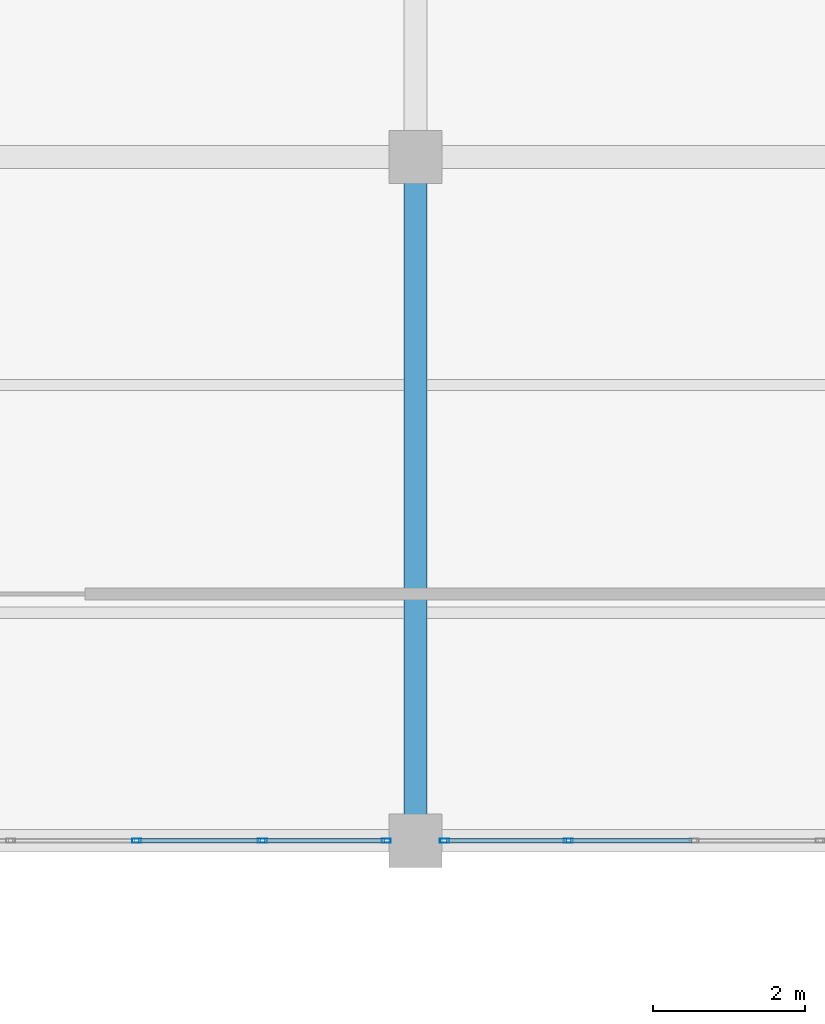
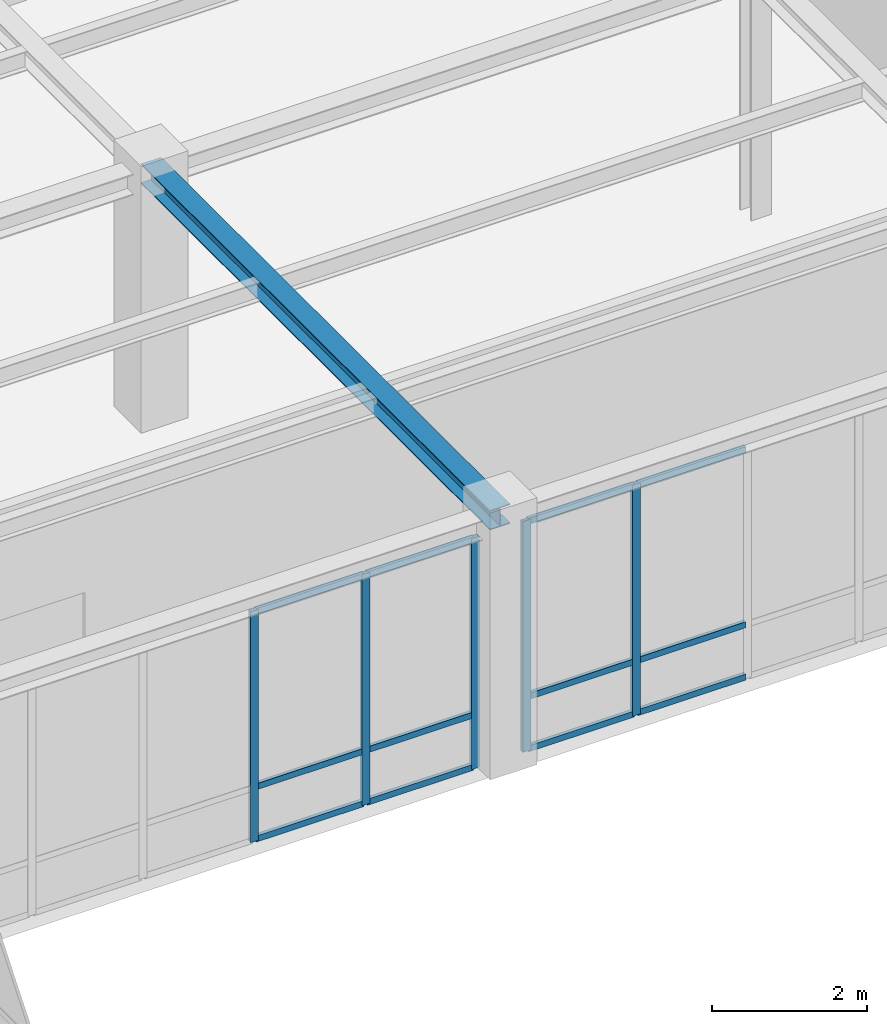
# One storey, part 68 of 108: 17 members, 1 beam, 2 elements without a shape of their own.
"""IFC4 building model written with IfcOpenShell, lengths in metres."""

from ifc_helpers import new_model, si_unit, direction, frame, origin, origin_2d, place, context, subcontext, project, spatial, hollow_rectangle, i_section, extrude, material, material_profile, profile_set, type_object, element, aggregate, save


model = new_model("IFC4")

# Units and contexts
model_context = context("Model", 3, precision=1e-05, world=origin(), true_north=direction((0.0, 1.0)))
body_context = subcontext(model_context, "Body", "Model", "MODEL_VIEW")
ifc_project = project(units=[si_unit("LENGTHUNIT", "METRE"), si_unit("AREAUNIT", "SQUARE_METRE"), si_unit("VOLUMEUNIT", "CUBIC_METRE"), si_unit("PLANEANGLEUNIT", "RADIAN"), si_unit("MASSUNIT", "GRAM", prefix="KILO")], contexts=[model_context])

# Site, building, storey
site_placement = place(None, origin())
site = spatial("IfcSite", under=ifc_project, at=site_placement, CompositionType="ELEMENT")
building_placement = place(site_placement, origin())
building = spatial("IfcBuilding", under=site, at=building_placement, Name="Lykobir Media Centre", CompositionType="ELEMENT")
storey_placement = place(building_placement, frame((0.0, 0.0, 15.0)))
storey = spatial("IfcBuildingStorey", under=building, at=storey_placement, Name="L03", CompositionType="ELEMENT", Elevation=15.0)

# Beam
ifc_material_1 = material(Name="Steel S355", Category="steel")
ifc_material_profile_1 = material_profile(ifc_material_1, i_section(OverallWidth=0.300048828125, OverallDepth=0.31005859375, WebThickness=0.009033203125, FlangeThickness=0.015380859375, at=origin_2d()), Name="HEA 320")
ifc_profile_set_1 = profile_set([ifc_material_profile_1], Name="Steel S355")
beam_type = type_object("IfcBeamType", Name="BM-HEA320", PredefinedType="BEAM", material=ifc_profile_set_1)
beam_placement = place(storey_placement, frame((108.0, 72.0, 3.804931640625), z_axis=(0.0, 1.0, 0.0), x_axis=(-1.0, 0.0, 0.0)))
element("IfcBeam", 1, at=beam_placement, inside=storey, type_object=beam_type, Name="Beam BM-L03-1080-0720-1080-0810-1880", PredefinedType="BEAM", context=body_context, shape_type="SweptSolid", body=[
    extrude(i_section(OverallWidth=0.300048828125, OverallDepth=0.31005859375, WebThickness=0.009033203125, FlangeThickness=0.015380859375, at=origin_2d()), origin(), (0.0, 0.0, 1.0), 9.0),
])

# Curtain wall, members
ifc_material_2 = material(Name="Anodized Aluminium AW-6060", Category="aluminium")
curtain_wall_type = type_object("IfcCurtainWallType", Name="CW-COURT-B", PredefinedType="NOTDEFINED", material=ifc_material_2)
curtain_wall_1_placement = place(storey_placement, origin())
curtain_wall_1 = element("IfcCurtainWall", 2, at=curtain_wall_1_placement, inside=storey, type_object=curtain_wall_type, Name="Curtain wall CW2-L03-0146", PredefinedType="NOTDEFINED")
ifc_material_profile_2 = material_profile(ifc_material_2, hollow_rectangle(XDim=0.054931640625, YDim=0.1201171875, WallThickness=0.003173828125, at=origin_2d()), Name="ALU MULLION 55x120")
ifc_profile_set_2 = profile_set([ifc_material_profile_2], Name="Anodized Aluminium AW-6060")
member_type_1 = type_object("IfcMemberType", Name="CWM-120", PredefinedType="MULLION", material=ifc_profile_set_2)
member_1_placement = place(storey_placement, frame((107.617431640625, 72.0, 0.0), z_axis=(0.0, 0.0, 1.0), x_axis=(0.0, -1.0, 0.0)))
member_1 = element("IfcMember", 3, at=member_1_placement, type_object=member_type_1, Name="CW2-L03-0146 mullion 1", PredefinedType="MULLION", context=body_context, shape_type="SweptSolid", body=[
    extrude(hollow_rectangle(XDim=0.054931640625, YDim=0.1201171875, WallThickness=0.003173828125, at=origin_2d()), origin(), (0.0, 0.0, 1.0), 3.635009765625),
])
member_2_placement = place(storey_placement, frame((105.987060546875, 72.0, 0.0), z_axis=(0.0, 0.0, 1.0), x_axis=(0.0, -1.0, 0.0)))
member_2 = element("IfcMember", 4, at=member_2_placement, type_object=member_type_1, Name="CW2-L03-0146 mullion 2", PredefinedType="MULLION", context=body_context, shape_type="SweptSolid", body=[
    extrude(hollow_rectangle(XDim=0.054931640625, YDim=0.1201171875, WallThickness=0.003173828125, at=origin_2d()), origin(), (0.0, 0.0, 1.0), 3.635009765625),
])
member_3_placement = place(storey_placement, frame((104.3291015625, 72.0, 0.0), z_axis=(0.0, 0.0, 1.0), x_axis=(0.0, -1.0, 0.0)))
member_3 = element("IfcMember", 5, at=member_3_placement, type_object=member_type_1, Name="CW2-L03-0146 mullion 3", PredefinedType="MULLION", context=body_context, shape_type="SweptSolid", body=[
    extrude(hollow_rectangle(XDim=0.054931640625, YDim=0.1201171875, WallThickness=0.003173828125, at=origin_2d()), origin(), (0.0, 0.0, 1.0), 3.635009765625),
])

curtain_wall_2_placement = place(storey_placement, origin())
curtain_wall_2 = element("IfcCurtainWall", 6, at=curtain_wall_2_placement, inside=storey, type_object=curtain_wall_type, Name="Curtain wall CW2-L03-0147", PredefinedType="NOTDEFINED")
member_4_placement = place(storey_placement, frame((110.012939453125, 72.0, 0.0), z_axis=(0.0, 0.0, 1.0), x_axis=(0.0, -1.0, 0.0)))
member_4 = element("IfcMember", 7, at=member_4_placement, type_object=member_type_1, Name="CW2-L03-0147 mullion 5", PredefinedType="MULLION", context=body_context, shape_type="SweptSolid", body=[
    extrude(hollow_rectangle(XDim=0.054931640625, YDim=0.1201171875, WallThickness=0.003173828125, at=origin_2d()), origin(), (0.0, 0.0, 1.0), 3.635009765625),
])
member_5_placement = place(storey_placement, frame((108.382568359375, 72.0, 0.0), z_axis=(0.0, 0.0, 1.0), x_axis=(0.0, -1.0, 0.0)))
member_5 = element("IfcMember", 8, at=member_5_placement, type_object=member_type_1, Name="CW2-L03-0147 mullion 6", PredefinedType="MULLION", context=body_context, shape_type="SweptSolid", body=[
    extrude(hollow_rectangle(XDim=0.054931640625, YDim=0.1201171875, WallThickness=0.003173828125, at=origin_2d()), origin(), (0.0, 0.0, 1.0), 3.635009765625),
])

# Member
ifc_material_profile_3 = material_profile(ifc_material_2, hollow_rectangle(XDim=0.054931640625, YDim=0.094970703125, WallThickness=0.0029296875, at=origin_2d()), Name="ALU TRANSOM 55x95")
ifc_profile_set_3 = profile_set([ifc_material_profile_3], Name="Anodized Aluminium AW-6060")
member_type_2 = type_object("IfcMemberType", Name="CWT-095", PredefinedType="USERDEFINED", material=ifc_profile_set_3)
member_6_placement = place(storey_placement, frame((107.590087890625, 72.0, 0.027587890625), z_axis=(-1.0, 0.0, 0.0), x_axis=(0.0, -1.0, 0.0)))
member_6 = element("IfcMember", 9, at=member_6_placement, type_object=member_type_2, Name="CW2-L03-0146 transom 1.1", ObjectType="TRANSOM", PredefinedType="USERDEFINED", context=body_context, shape_type="SweptSolid", body=[
    extrude(hollow_rectangle(XDim=0.054931640625, YDim=0.094970703125, WallThickness=0.0029296875, at=origin_2d()), origin(), (0.0, 0.0, 1.0), 1.57568359375),
])

member_7_placement = place(storey_placement, frame((107.590087890625, 72.0, 0.85009765625), z_axis=(-1.0, 0.0, 0.0), x_axis=(0.0, -1.0, 0.0)))
member_7 = element("IfcMember", 10, at=member_7_placement, type_object=member_type_2, Name="CW2-L03-0146 transom 1.2", ObjectType="TRANSOM", PredefinedType="USERDEFINED", context=body_context, shape_type="SweptSolid", body=[
    extrude(hollow_rectangle(XDim=0.054931640625, YDim=0.094970703125, WallThickness=0.0029296875, at=origin_2d()), origin(), (0.0, 0.0, 1.0), 1.57568359375),
])

member_8_placement = place(storey_placement, frame((107.590087890625, 72.0, 3.607421875), z_axis=(-1.0, 0.0, 0.0), x_axis=(0.0, -1.0, 0.0)))
member_8 = element("IfcMember", 11, at=member_8_placement, type_object=member_type_2, Name="CW2-L03-0146 transom 1.3", ObjectType="TRANSOM", PredefinedType="USERDEFINED", context=body_context, shape_type="SweptSolid", body=[
    extrude(hollow_rectangle(XDim=0.054931640625, YDim=0.094970703125, WallThickness=0.0029296875, at=origin_2d()), origin(), (0.0, 0.0, 1.0), 1.57568359375),
])

member_9_placement = place(storey_placement, frame((105.95947265625, 72.0, 0.027587890625), z_axis=(-1.0, 0.0, 0.0), x_axis=(0.0, -1.0, 0.0)))
member_9 = element("IfcMember", 12, at=member_9_placement, type_object=member_type_2, Name="CW2-L03-0146 transom 2.1", ObjectType="TRANSOM", PredefinedType="USERDEFINED", context=body_context, shape_type="SweptSolid", body=[
    extrude(hollow_rectangle(XDim=0.054931640625, YDim=0.094970703125, WallThickness=0.0029296875, at=origin_2d()), origin(), (0.0, 0.0, 1.0), 1.60302734375),
])

member_10_placement = place(storey_placement, frame((105.95947265625, 72.0, 0.85009765625), z_axis=(-1.0, 0.0, 0.0), x_axis=(0.0, -1.0, 0.0)))
member_10 = element("IfcMember", 13, at=member_10_placement, type_object=member_type_2, Name="CW2-L03-0146 transom 2.2", ObjectType="TRANSOM", PredefinedType="USERDEFINED", context=body_context, shape_type="SweptSolid", body=[
    extrude(hollow_rectangle(XDim=0.054931640625, YDim=0.094970703125, WallThickness=0.0029296875, at=origin_2d()), origin(), (0.0, 0.0, 1.0), 1.60302734375),
])

member_11_placement = place(storey_placement, frame((105.95947265625, 72.0, 3.607421875), z_axis=(-1.0, 0.0, 0.0), x_axis=(0.0, -1.0, 0.0)))
member_11 = element("IfcMember", 14, at=member_11_placement, type_object=member_type_2, Name="CW2-L03-0146 transom 2.3", ObjectType="TRANSOM", PredefinedType="USERDEFINED", context=body_context, shape_type="SweptSolid", body=[
    extrude(hollow_rectangle(XDim=0.054931640625, YDim=0.094970703125, WallThickness=0.0029296875, at=origin_2d()), origin(), (0.0, 0.0, 1.0), 1.60302734375),
])

aggregate(curtain_wall_1, [member_1, member_2, member_3, member_6, member_7, member_8, member_9, member_10, member_11])

member_12_placement = place(storey_placement, frame((111.6435546875, 72.0, 0.027587890625), z_axis=(-1.0, 0.0, 0.0), x_axis=(0.0, -1.0, 0.0)))
member_12 = element("IfcMember", 15, at=member_12_placement, type_object=member_type_2, Name="CW2-L03-0147 transom 4.1", ObjectType="TRANSOM", PredefinedType="USERDEFINED", context=body_context, shape_type="SweptSolid", body=[
    extrude(hollow_rectangle(XDim=0.054931640625, YDim=0.094970703125, WallThickness=0.0029296875, at=origin_2d()), origin(), (0.0, 0.0, 1.0), 1.60302734375),
])

member_13_placement = place(storey_placement, frame((111.6435546875, 72.0, 0.85009765625), z_axis=(-1.0, 0.0, 0.0), x_axis=(0.0, -1.0, 0.0)))
member_13 = element("IfcMember", 16, at=member_13_placement, type_object=member_type_2, Name="CW2-L03-0147 transom 4.2", ObjectType="TRANSOM", PredefinedType="USERDEFINED", context=body_context, shape_type="SweptSolid", body=[
    extrude(hollow_rectangle(XDim=0.054931640625, YDim=0.094970703125, WallThickness=0.0029296875, at=origin_2d()), origin(), (0.0, 0.0, 1.0), 1.60302734375),
])

member_14_placement = place(storey_placement, frame((111.6435546875, 72.0, 3.607421875), z_axis=(-1.0, 0.0, 0.0), x_axis=(0.0, -1.0, 0.0)))
member_14 = element("IfcMember", 17, at=member_14_placement, type_object=member_type_2, Name="CW2-L03-0147 transom 4.3", ObjectType="TRANSOM", PredefinedType="USERDEFINED", context=body_context, shape_type="SweptSolid", body=[
    extrude(hollow_rectangle(XDim=0.054931640625, YDim=0.094970703125, WallThickness=0.0029296875, at=origin_2d()), origin(), (0.0, 0.0, 1.0), 1.60302734375),
])

member_15_placement = place(storey_placement, frame((109.985595703125, 72.0, 0.027587890625), z_axis=(-1.0, 0.0, 0.0), x_axis=(0.0, -1.0, 0.0)))
member_15 = element("IfcMember", 18, at=member_15_placement, type_object=member_type_2, Name="CW2-L03-0147 transom 5.1", ObjectType="TRANSOM", PredefinedType="USERDEFINED", context=body_context, shape_type="SweptSolid", body=[
    extrude(hollow_rectangle(XDim=0.054931640625, YDim=0.094970703125, WallThickness=0.0029296875, at=origin_2d()), origin(), (0.0, 0.0, 1.0), 1.57568359375),
])

member_16_placement = place(storey_placement, frame((109.985595703125, 72.0, 0.85009765625), z_axis=(-1.0, 0.0, 0.0), x_axis=(0.0, -1.0, 0.0)))
member_16 = element("IfcMember", 19, at=member_16_placement, type_object=member_type_2, Name="CW2-L03-0147 transom 5.2", ObjectType="TRANSOM", PredefinedType="USERDEFINED", context=body_context, shape_type="SweptSolid", body=[
    extrude(hollow_rectangle(XDim=0.054931640625, YDim=0.094970703125, WallThickness=0.0029296875, at=origin_2d()), origin(), (0.0, 0.0, 1.0), 1.57568359375),
])

member_17_placement = place(storey_placement, frame((109.985595703125, 72.0, 3.607421875), z_axis=(-1.0, 0.0, 0.0), x_axis=(0.0, -1.0, 0.0)))
member_17 = element("IfcMember", 20, at=member_17_placement, type_object=member_type_2, Name="CW2-L03-0147 transom 5.3", ObjectType="TRANSOM", PredefinedType="USERDEFINED", context=body_context, shape_type="SweptSolid", body=[
    extrude(hollow_rectangle(XDim=0.054931640625, YDim=0.094970703125, WallThickness=0.0029296875, at=origin_2d()), origin(), (0.0, 0.0, 1.0), 1.57568359375),
])

aggregate(curtain_wall_2, [member_4, member_5, member_12, member_13, member_14, member_15, member_16, member_17])

save(model, "model.ifc")
